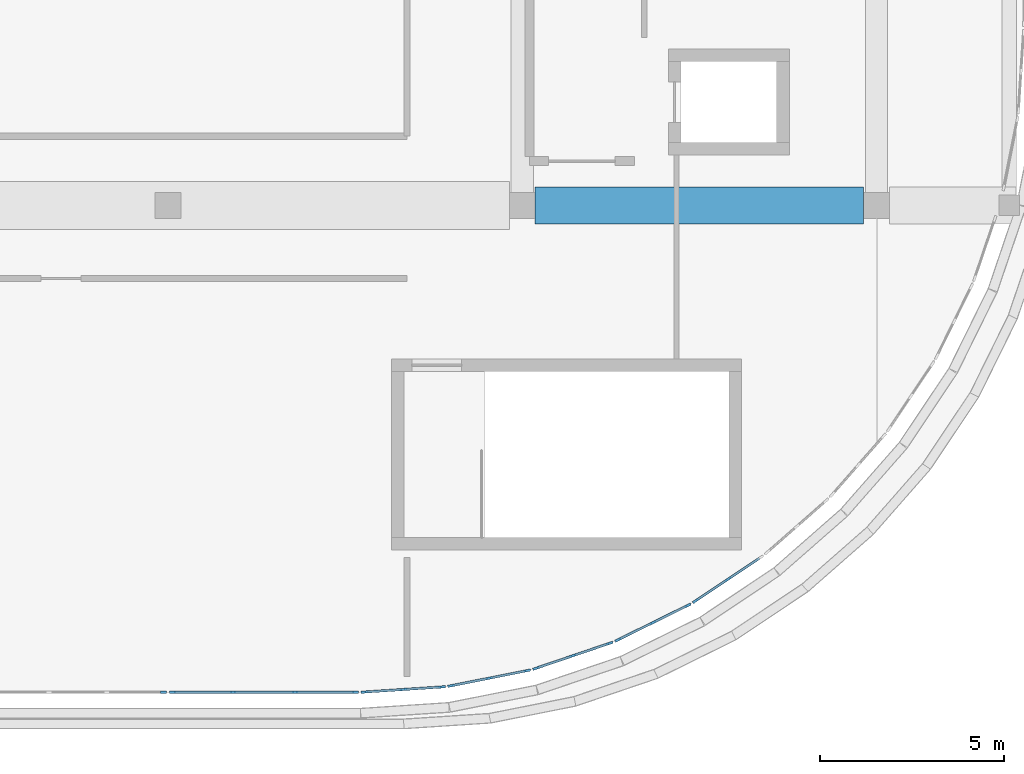
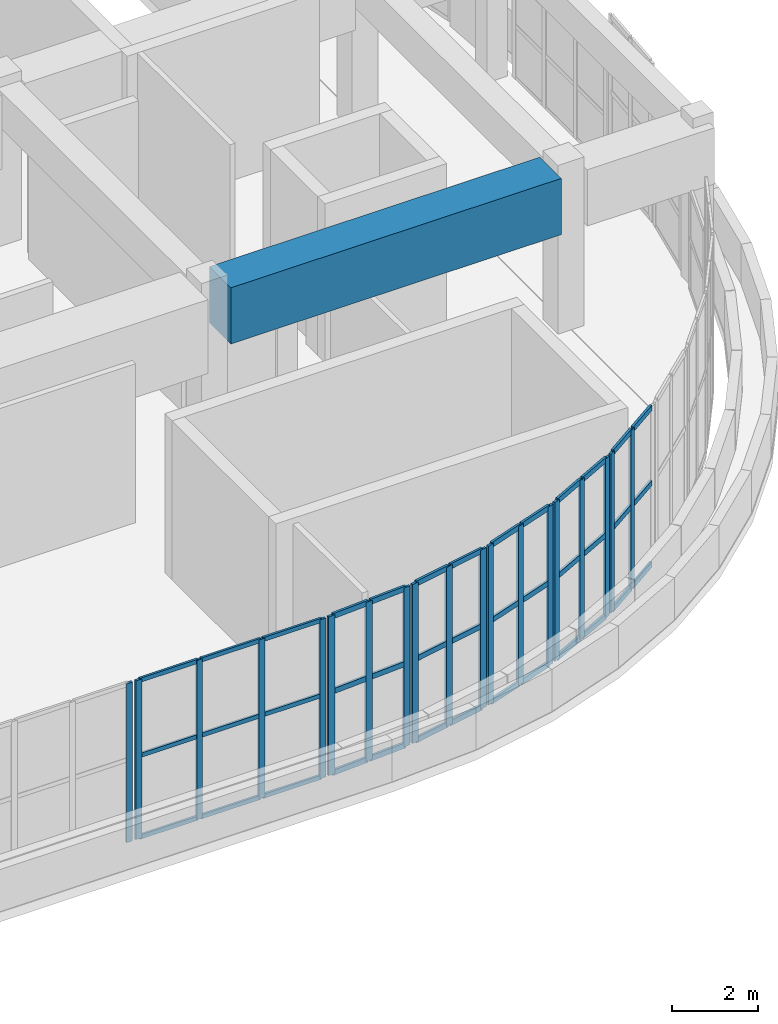
# One storey, part 7 of 23: 58 members, 1 beam, 7 elements without a shape of their own.
"""IFC4 building model written with IfcOpenShell, lengths in metres."""

from ifc_helpers import new_model, si_unit, direction, frame, origin, origin_2d, place, context, subcontext, project, spatial, rectangle, extrude, material, layer, layer_set, material_profile, profile_set, type_object, element, aggregate, save


model = new_model("IFC4")

# Units and contexts
model_context = context("Model", 3, precision=1e-05, world=origin(), true_north=direction((0.0, 1.0)))
body_context = subcontext(model_context, "Body", "Model", "MODEL_VIEW")
ifc_project = project(units=[si_unit("LENGTHUNIT", "METRE"), si_unit("AREAUNIT", "SQUARE_METRE"), si_unit("VOLUMEUNIT", "CUBIC_METRE"), si_unit("PLANEANGLEUNIT", "RADIAN"), si_unit("MASSUNIT", "GRAM", prefix="KILO")], contexts=[model_context])

# Site, building, storey
site_placement = place(None, origin())
site = spatial("IfcSite", under=ifc_project, at=site_placement, CompositionType="ELEMENT")
building_placement = place(site_placement, origin())
building = spatial("IfcBuilding", under=site, at=building_placement, Name="Cendralis Terraced Arcade", CompositionType="ELEMENT")
storey_placement = place(building_placement, frame((0.0, 0.0, 29.39990234375)))
storey = spatial("IfcBuildingStorey", under=building, at=storey_placement, Name="L06", CompositionType="ELEMENT", Elevation=29.39990234375)

# Beam
ifc_material_1 = material(Name="Concrete f'c 42 MPa", Category="concrete")
ifc_material_profile_1 = material_profile(ifc_material_1, rectangle(XDim=1.0, YDim=1.60009765625, at=origin_2d()), Name="RC-TG-1000x1600", Category="LoadBearing")
ifc_profile_set_1 = profile_set([ifc_material_profile_1], Name="Concrete f'c 42 MPa")
beam_type = type_object("IfcBeamType", Name="BM-TG-1000x1600", PredefinedType="USERDEFINED", material=ifc_profile_set_1)
beam_placement = place(storey_placement, frame((48.35009765625, 19.199951171875, 3.72509765625), z_axis=(1.0, 0.0, 0.0), x_axis=(0.0, 1.0, 0.0)))
element("IfcBeam", 1, at=beam_placement, inside=storey, type_object=beam_type, Name="Reinforced Concrete Transfer Girder TG-RF-C-BACK", ObjectType="TRANSFER GIRDER", PredefinedType="USERDEFINED", context=body_context, shape_type="SweptSolid", body=[
    extrude(rectangle(XDim=1.0, YDim=1.60009765625, at=origin_2d()), origin(), (0.0, 0.0, 1.0), 8.89990234375),
])

# Curtain wall, members
ifc_material_2 = material(Name="Anodised aluminium EN AW-6063 T6", Category="aluminium")
ifc_layer_1 = layer(ifc_material_2, 0.179931640625, Name="CW-UNIT-A")
ifc_layer_set_1 = layer_set([ifc_layer_1], Name="Anodised aluminium EN AW-6063 T6")
curtain_wall_type_1 = type_object("IfcCurtainWallType", Name="CW-UNIT-A", PredefinedType="USERDEFINED", material=ifc_layer_set_1)
curtain_wall_1_placement = place(storey_placement, origin())
curtain_wall_1 = element("IfcCurtainWall", 2, at=curtain_wall_1_placement, inside=storey, type_object=curtain_wall_type_1, Name="Exterior Unitised Facade CW-L06-0477", ObjectType="UNITISED FACADE", PredefinedType="USERDEFINED")
ifc_material_profile_2 = material_profile(ifc_material_2, rectangle(XDim=0.06494140625, YDim=0.179931640625, at=origin_2d()), Name="ALU-MUL-65x180")
ifc_profile_set_2 = profile_set([ifc_material_profile_2], Name="Anodised aluminium EN AW-6063 T6")
member_type_1 = type_object("IfcMemberType", Name="CW-UNIT-A-MUL", PredefinedType="MULLION", material=ifc_profile_set_2)
member_1_placement = place(storey_placement, frame((53.578857421875, 9.0654296875, 0.0), z_axis=(0.0, 0.0, 1.0), x_axis=(0.555559488738, -0.831476791301, 0.0)))
member_1 = element("IfcMember", 3, at=member_1_placement, type_object=member_type_1, Name="CW-U1 mullion 2", PredefinedType="MULLION", context=body_context, shape_type="SweptSolid", body=[
    extrude(rectangle(XDim=0.06494140625, YDim=0.179931640625, at=origin_2d()), origin(), (0.0, 0.0, 1.0), 4.525146484375),
])
member_2_placement = place(storey_placement, frame((52.701904296875, 8.4794921875, 0.0), z_axis=(0.0, 0.0, 1.0), x_axis=(0.555559488738, -0.831476791301, 0.0)))
member_2 = element("IfcMember", 4, at=member_2_placement, type_object=member_type_1, Name="CW-U1 mullion 3", PredefinedType="MULLION", context=body_context, shape_type="SweptSolid", body=[
    extrude(rectangle(XDim=0.06494140625, YDim=0.179931640625, at=origin_2d()), origin(), (0.0, 0.0, 1.0), 4.525146484375),
])

curtain_wall_2_placement = place(storey_placement, origin())
curtain_wall_2 = element("IfcCurtainWall", 5, at=curtain_wall_2_placement, inside=storey, type_object=curtain_wall_type_1, Name="Exterior Unitised Facade CW-L06-0478", ObjectType="UNITISED FACADE", PredefinedType="USERDEFINED")
member_3_placement = place(storey_placement, frame((52.490234375, 8.357421875, 0.0), z_axis=(0.0, 0.0, 1.0), x_axis=(0.442258533133, -0.896887612731, 0.0)))
member_3 = element("IfcMember", 6, at=member_3_placement, type_object=member_type_1, Name="CW-U1 mullion 1", PredefinedType="MULLION", context=body_context, shape_type="SweptSolid", body=[
    extrude(rectangle(XDim=0.06494140625, YDim=0.179931640625, at=origin_2d()), origin(), (0.0, 0.0, 1.0), 4.525146484375),
])
member_4_placement = place(storey_placement, frame((51.544189453125, 7.890869140625, 0.0), z_axis=(0.0, 0.0, 1.0), x_axis=(0.442258533133, -0.896887612731, 0.0)))
member_4 = element("IfcMember", 7, at=member_4_placement, type_object=member_type_1, Name="CW-U1 mullion 2", PredefinedType="MULLION", context=body_context, shape_type="SweptSolid", body=[
    extrude(rectangle(XDim=0.06494140625, YDim=0.179931640625, at=origin_2d()), origin(), (0.0, 0.0, 1.0), 4.525146484375),
])
member_5_placement = place(storey_placement, frame((50.59814453125, 7.42431640625, 0.0), z_axis=(0.0, 0.0, 1.0), x_axis=(0.442258533133, -0.896887612731, 0.0)))
member_5 = element("IfcMember", 8, at=member_5_placement, type_object=member_type_1, Name="CW-U1 mullion 3", PredefinedType="MULLION", context=body_context, shape_type="SweptSolid", body=[
    extrude(rectangle(XDim=0.06494140625, YDim=0.179931640625, at=origin_2d()), origin(), (0.0, 0.0, 1.0), 4.525146484375),
])

curtain_wall_3_placement = place(storey_placement, origin())
curtain_wall_3 = element("IfcCurtainWall", 9, at=curtain_wall_3_placement, inside=storey, type_object=curtain_wall_type_1, Name="Exterior Unitised Facade CW-L06-0479", ObjectType="UNITISED FACADE", PredefinedType="USERDEFINED")
member_6_placement = place(storey_placement, frame((50.372314453125, 7.330810546875, 0.0), z_axis=(0.0, 0.0, 1.0), x_axis=(0.321478962554, -0.946916721066, 0.0)))
member_6 = element("IfcMember", 10, at=member_6_placement, type_object=member_type_1, Name="CW-U1 mullion 1", PredefinedType="MULLION", context=body_context, shape_type="SweptSolid", body=[
    extrude(rectangle(XDim=0.06494140625, YDim=0.179931640625, at=origin_2d()), origin(), (0.0, 0.0, 1.0), 4.525146484375),
])
member_7_placement = place(storey_placement, frame((49.37353515625, 6.99169921875, 0.0), z_axis=(0.0, 0.0, 1.0), x_axis=(0.321478962554, -0.946916721066, 0.0)))
member_7 = element("IfcMember", 11, at=member_7_placement, type_object=member_type_1, Name="CW-U1 mullion 2", PredefinedType="MULLION", context=body_context, shape_type="SweptSolid", body=[
    extrude(rectangle(XDim=0.06494140625, YDim=0.179931640625, at=origin_2d()), origin(), (0.0, 0.0, 1.0), 4.525146484375),
])
member_8_placement = place(storey_placement, frame((48.374755859375, 6.652587890625, 0.0), z_axis=(0.0, 0.0, 1.0), x_axis=(0.321478962554, -0.946916721066, 0.0)))
member_8 = element("IfcMember", 12, at=member_8_placement, type_object=member_type_1, Name="CW-U1 mullion 3", PredefinedType="MULLION", context=body_context, shape_type="SweptSolid", body=[
    extrude(rectangle(XDim=0.06494140625, YDim=0.179931640625, at=origin_2d()), origin(), (0.0, 0.0, 1.0), 4.525146484375),
])

curtain_wall_4_placement = place(storey_placement, origin())
curtain_wall_4 = element("IfcCurtainWall", 13, at=curtain_wall_4_placement, inside=storey, type_object=curtain_wall_type_1, Name="Exterior Unitised Facade CW-L06-0480", ObjectType="UNITISED FACADE", PredefinedType="USERDEFINED")
member_9_placement = place(storey_placement, frame((48.138427734375, 6.58935546875, 0.0), z_axis=(0.0, 0.0, 1.0), x_axis=(0.195045853998, -0.980794124594, 0.0)))
member_9 = element("IfcMember", 14, at=member_9_placement, type_object=member_type_1, Name="CW-U1 mullion 1", PredefinedType="MULLION", context=body_context, shape_type="SweptSolid", body=[
    extrude(rectangle(XDim=0.06494140625, YDim=0.179931640625, at=origin_2d()), origin(), (0.0, 0.0, 1.0), 4.525146484375),
])
member_10_placement = place(storey_placement, frame((47.10400390625, 6.383544921875, 0.0), z_axis=(0.0, 0.0, 1.0), x_axis=(0.195045853998, -0.980794124594, 0.0)))
member_10 = element("IfcMember", 15, at=member_10_placement, type_object=member_type_1, Name="CW-U1 mullion 2", PredefinedType="MULLION", context=body_context, shape_type="SweptSolid", body=[
    extrude(rectangle(XDim=0.06494140625, YDim=0.179931640625, at=origin_2d()), origin(), (0.0, 0.0, 1.0), 4.525146484375),
])
member_11_placement = place(storey_placement, frame((46.069580078125, 6.177978515625, 0.0), z_axis=(0.0, 0.0, 1.0), x_axis=(0.195045853998, -0.980794124594, 0.0)))
member_11 = element("IfcMember", 16, at=member_11_placement, type_object=member_type_1, Name="CW-U1 mullion 3", PredefinedType="MULLION", context=body_context, shape_type="SweptSolid", body=[
    extrude(rectangle(XDim=0.06494140625, YDim=0.179931640625, at=origin_2d()), origin(), (0.0, 0.0, 1.0), 4.525146484375),
])

curtain_wall_5_placement = place(storey_placement, origin())
curtain_wall_5 = element("IfcCurtainWall", 17, at=curtain_wall_5_placement, inside=storey, type_object=curtain_wall_type_1, Name="Exterior Unitised Facade CW-L06-0481", ObjectType="UNITISED FACADE", PredefinedType="USERDEFINED")
member_12_placement = place(storey_placement, frame((45.8271484375, 6.14599609375, 0.0), z_axis=(0.0, 0.0, 1.0), x_axis=(0.065392707503, -0.99785960626, 0.0)))
member_12 = element("IfcMember", 18, at=member_12_placement, type_object=member_type_1, Name="CW-U1 mullion 1", PredefinedType="MULLION", context=body_context, shape_type="SweptSolid", body=[
    extrude(rectangle(XDim=0.06494140625, YDim=0.179931640625, at=origin_2d()), origin(), (0.0, 0.0, 1.0), 4.525146484375),
])
member_13_placement = place(storey_placement, frame((44.774658203125, 6.076904296875, 0.0), z_axis=(0.0, 0.0, 1.0), x_axis=(0.065392707503, -0.99785960626, 0.0)))
member_13 = element("IfcMember", 19, at=member_13_placement, type_object=member_type_1, Name="CW-U1 mullion 2", PredefinedType="MULLION", context=body_context, shape_type="SweptSolid", body=[
    extrude(rectangle(XDim=0.06494140625, YDim=0.179931640625, at=origin_2d()), origin(), (0.0, 0.0, 1.0), 4.525146484375),
])
member_14_placement = place(storey_placement, frame((43.72216796875, 6.008056640625, 0.0), z_axis=(0.0, 0.0, 1.0), x_axis=(0.065392707503, -0.99785960626, 0.0)))
member_14 = element("IfcMember", 20, at=member_14_placement, type_object=member_type_1, Name="CW-U1 mullion 3", PredefinedType="MULLION", context=body_context, shape_type="SweptSolid", body=[
    extrude(rectangle(XDim=0.06494140625, YDim=0.179931640625, at=origin_2d()), origin(), (0.0, 0.0, 1.0), 4.525146484375),
])

# Member
ifc_material_profile_3 = material_profile(ifc_material_2, rectangle(XDim=0.06494140625, YDim=0.14990234375, at=origin_2d()), Name="ALU-TRN-65x150")
ifc_profile_set_3 = profile_set([ifc_material_profile_3], Name="Anodised aluminium EN AW-6063 T6")
member_type_2 = type_object("IfcMemberType", Name="CW-UNIT-A-TRN", PredefinedType="USERDEFINED", material=ifc_profile_set_3)
member_15_placement = place(storey_placement, frame((54.428955078125, 9.633544921875, 0.03271484375), z_axis=(-0.831404687849, -0.555667387043, 0.0), x_axis=(0.555667387043, -0.831404687849, 0.0)))
member_15 = element("IfcMember", 21, at=member_15_placement, type_object=member_type_2, Name="CW-U1 transom 1.1", ObjectType="TRANSOM", PredefinedType="USERDEFINED", context=body_context, shape_type="SweptSolid", body=[
    extrude(rectangle(XDim=0.06494140625, YDim=0.14990234375, at=origin_2d()), origin(), (0.0, 0.0, 1.0), 0.989990234375),
])

member_16_placement = place(storey_placement, frame((54.428955078125, 9.633544921875, 2.35302734375), z_axis=(-0.831404687849, -0.555667387043, 0.0), x_axis=(0.555667387043, -0.831404687849, 0.0)))
member_16 = element("IfcMember", 22, at=member_16_placement, type_object=member_type_2, Name="CW-U1 transom 1.2", ObjectType="TRANSOM", PredefinedType="USERDEFINED", context=body_context, shape_type="SweptSolid", body=[
    extrude(rectangle(XDim=0.06494140625, YDim=0.14990234375, at=origin_2d()), origin(), (0.0, 0.0, 1.0), 0.989990234375),
])

member_17_placement = place(storey_placement, frame((54.428955078125, 9.633544921875, 4.49267578125), z_axis=(-0.831404687849, -0.555667387043, 0.0), x_axis=(0.555667387043, -0.831404687849, 0.0)))
member_17 = element("IfcMember", 23, at=member_17_placement, type_object=member_type_2, Name="CW-U1 transom 1.3", ObjectType="TRANSOM", PredefinedType="USERDEFINED", context=body_context, shape_type="SweptSolid", body=[
    extrude(rectangle(XDim=0.06494140625, YDim=0.14990234375, at=origin_2d()), origin(), (0.0, 0.0, 1.0), 0.989990234375),
])

member_18_placement = place(storey_placement, frame((53.5517578125, 9.047607421875, 0.03271484375), z_axis=(-0.831404687849, -0.555667387043, 0.0), x_axis=(0.555667387043, -0.831404687849, 0.0)))
member_18 = element("IfcMember", 24, at=member_18_placement, type_object=member_type_2, Name="CW-U1 transom 2.1", ObjectType="TRANSOM", PredefinedType="USERDEFINED", context=body_context, shape_type="SweptSolid", body=[
    extrude(rectangle(XDim=0.06494140625, YDim=0.14990234375, at=origin_2d()), origin(), (0.0, 0.0, 1.0), 0.989990234375),
])

member_19_placement = place(storey_placement, frame((53.5517578125, 9.047607421875, 2.35302734375), z_axis=(-0.831404687849, -0.555667387043, 0.0), x_axis=(0.555667387043, -0.831404687849, 0.0)))
member_19 = element("IfcMember", 25, at=member_19_placement, type_object=member_type_2, Name="CW-U1 transom 2.2", ObjectType="TRANSOM", PredefinedType="USERDEFINED", context=body_context, shape_type="SweptSolid", body=[
    extrude(rectangle(XDim=0.06494140625, YDim=0.14990234375, at=origin_2d()), origin(), (0.0, 0.0, 1.0), 0.989990234375),
])

member_20_placement = place(storey_placement, frame((53.5517578125, 9.047607421875, 4.49267578125), z_axis=(-0.831404687849, -0.555667387043, 0.0), x_axis=(0.555667387043, -0.831404687849, 0.0)))
member_20 = element("IfcMember", 26, at=member_20_placement, type_object=member_type_2, Name="CW-U1 transom 2.3", ObjectType="TRANSOM", PredefinedType="USERDEFINED", context=body_context, shape_type="SweptSolid", body=[
    extrude(rectangle(XDim=0.06494140625, YDim=0.14990234375, at=origin_2d()), origin(), (0.0, 0.0, 1.0), 0.989990234375),
])

aggregate(curtain_wall_1, [member_1, member_2, member_15, member_16, member_17, member_18, member_19, member_20])

member_21_placement = place(storey_placement, frame((52.4609375, 8.343017578125, 0.03271484375), z_axis=(-0.89688025302, -0.442273458104, 0.0), x_axis=(0.442273458104, -0.89688025302, 0.0)))
member_21 = element("IfcMember", 27, at=member_21_placement, type_object=member_type_2, Name="CW-U1 transom 1.1", ObjectType="TRANSOM", PredefinedType="USERDEFINED", context=body_context, shape_type="SweptSolid", body=[
    extrude(rectangle(XDim=0.06494140625, YDim=0.14990234375, at=origin_2d()), origin(), (0.0, 0.0, 1.0), 0.98974609375),
])

member_22_placement = place(storey_placement, frame((52.4609375, 8.343017578125, 2.35302734375), z_axis=(-0.89688025302, -0.442273458104, 0.0), x_axis=(0.442273458104, -0.89688025302, 0.0)))
member_22 = element("IfcMember", 28, at=member_22_placement, type_object=member_type_2, Name="CW-U1 transom 1.2", ObjectType="TRANSOM", PredefinedType="USERDEFINED", context=body_context, shape_type="SweptSolid", body=[
    extrude(rectangle(XDim=0.06494140625, YDim=0.14990234375, at=origin_2d()), origin(), (0.0, 0.0, 1.0), 0.98974609375),
])

member_23_placement = place(storey_placement, frame((52.4609375, 8.343017578125, 4.49267578125), z_axis=(-0.89688025302, -0.442273458104, 0.0), x_axis=(0.442273458104, -0.89688025302, 0.0)))
member_23 = element("IfcMember", 29, at=member_23_placement, type_object=member_type_2, Name="CW-U1 transom 1.3", ObjectType="TRANSOM", PredefinedType="USERDEFINED", context=body_context, shape_type="SweptSolid", body=[
    extrude(rectangle(XDim=0.06494140625, YDim=0.14990234375, at=origin_2d()), origin(), (0.0, 0.0, 1.0), 0.98974609375),
])

member_24_placement = place(storey_placement, frame((51.514892578125, 7.87646484375, 0.03271484375), z_axis=(-0.89688025302, -0.442273458104, 0.0), x_axis=(0.442273458104, -0.89688025302, 0.0)))
member_24 = element("IfcMember", 30, at=member_24_placement, type_object=member_type_2, Name="CW-U1 transom 2.1", ObjectType="TRANSOM", PredefinedType="USERDEFINED", context=body_context, shape_type="SweptSolid", body=[
    extrude(rectangle(XDim=0.06494140625, YDim=0.14990234375, at=origin_2d()), origin(), (0.0, 0.0, 1.0), 0.98974609375),
])

member_25_placement = place(storey_placement, frame((51.514892578125, 7.87646484375, 2.35302734375), z_axis=(-0.89688025302, -0.442273458104, 0.0), x_axis=(0.442273458104, -0.89688025302, 0.0)))
member_25 = element("IfcMember", 31, at=member_25_placement, type_object=member_type_2, Name="CW-U1 transom 2.2", ObjectType="TRANSOM", PredefinedType="USERDEFINED", context=body_context, shape_type="SweptSolid", body=[
    extrude(rectangle(XDim=0.06494140625, YDim=0.14990234375, at=origin_2d()), origin(), (0.0, 0.0, 1.0), 0.98974609375),
])

member_26_placement = place(storey_placement, frame((51.514892578125, 7.87646484375, 4.49267578125), z_axis=(-0.89688025302, -0.442273458104, 0.0), x_axis=(0.442273458104, -0.89688025302, 0.0)))
member_26 = element("IfcMember", 32, at=member_26_placement, type_object=member_type_2, Name="CW-U1 transom 2.3", ObjectType="TRANSOM", PredefinedType="USERDEFINED", context=body_context, shape_type="SweptSolid", body=[
    extrude(rectangle(XDim=0.06494140625, YDim=0.14990234375, at=origin_2d()), origin(), (0.0, 0.0, 1.0), 0.98974609375),
])

aggregate(curtain_wall_2, [member_3, member_4, member_5, member_21, member_22, member_23, member_24, member_25, member_26])

member_27_placement = place(storey_placement, frame((50.341552734375, 7.3203125, 0.03271484375), z_axis=(-0.946942509421, -0.321402992909, 0.0), x_axis=(0.321402992909, -0.946942509421, 0.0)))
member_27 = element("IfcMember", 33, at=member_27_placement, type_object=member_type_2, Name="CW-U1 transom 1.1", ObjectType="TRANSOM", PredefinedType="USERDEFINED", context=body_context, shape_type="SweptSolid", body=[
    extrude(rectangle(XDim=0.06494140625, YDim=0.14990234375, at=origin_2d()), origin(), (0.0, 0.0, 1.0), 0.98974609375),
])

member_28_placement = place(storey_placement, frame((50.341552734375, 7.3203125, 2.35302734375), z_axis=(-0.946942509421, -0.321402992909, 0.0), x_axis=(0.321402992909, -0.946942509421, 0.0)))
member_28 = element("IfcMember", 34, at=member_28_placement, type_object=member_type_2, Name="CW-U1 transom 1.2", ObjectType="TRANSOM", PredefinedType="USERDEFINED", context=body_context, shape_type="SweptSolid", body=[
    extrude(rectangle(XDim=0.06494140625, YDim=0.14990234375, at=origin_2d()), origin(), (0.0, 0.0, 1.0), 0.98974609375),
])

member_29_placement = place(storey_placement, frame((50.341552734375, 7.3203125, 4.49267578125), z_axis=(-0.946942509421, -0.321402992909, 0.0), x_axis=(0.321402992909, -0.946942509421, 0.0)))
member_29 = element("IfcMember", 35, at=member_29_placement, type_object=member_type_2, Name="CW-U1 transom 1.3", ObjectType="TRANSOM", PredefinedType="USERDEFINED", context=body_context, shape_type="SweptSolid", body=[
    extrude(rectangle(XDim=0.06494140625, YDim=0.14990234375, at=origin_2d()), origin(), (0.0, 0.0, 1.0), 0.98974609375),
])

member_30_placement = place(storey_placement, frame((49.3427734375, 6.981201171875, 0.03271484375), z_axis=(-0.946942509421, -0.321402992909, 0.0), x_axis=(0.321402992909, -0.946942509421, 0.0)))
member_30 = element("IfcMember", 36, at=member_30_placement, type_object=member_type_2, Name="CW-U1 transom 2.1", ObjectType="TRANSOM", PredefinedType="USERDEFINED", context=body_context, shape_type="SweptSolid", body=[
    extrude(rectangle(XDim=0.06494140625, YDim=0.14990234375, at=origin_2d()), origin(), (0.0, 0.0, 1.0), 0.98974609375),
])

member_31_placement = place(storey_placement, frame((49.3427734375, 6.981201171875, 2.35302734375), z_axis=(-0.946942509421, -0.321402992909, 0.0), x_axis=(0.321402992909, -0.946942509421, 0.0)))
member_31 = element("IfcMember", 37, at=member_31_placement, type_object=member_type_2, Name="CW-U1 transom 2.2", ObjectType="TRANSOM", PredefinedType="USERDEFINED", context=body_context, shape_type="SweptSolid", body=[
    extrude(rectangle(XDim=0.06494140625, YDim=0.14990234375, at=origin_2d()), origin(), (0.0, 0.0, 1.0), 0.98974609375),
])

member_32_placement = place(storey_placement, frame((49.3427734375, 6.981201171875, 4.49267578125), z_axis=(-0.946942509421, -0.321402992909, 0.0), x_axis=(0.321402992909, -0.946942509421, 0.0)))
member_32 = element("IfcMember", 38, at=member_32_placement, type_object=member_type_2, Name="CW-U1 transom 2.3", ObjectType="TRANSOM", PredefinedType="USERDEFINED", context=body_context, shape_type="SweptSolid", body=[
    extrude(rectangle(XDim=0.06494140625, YDim=0.14990234375, at=origin_2d()), origin(), (0.0, 0.0, 1.0), 0.98974609375),
])

aggregate(curtain_wall_3, [member_6, member_7, member_8, member_27, member_28, member_29, member_30, member_31, member_32])

member_33_placement = place(storey_placement, frame((48.106689453125, 6.5830078125, 0.03271484375), z_axis=(-0.98077940709, -0.195119846833, 0.0), x_axis=(0.195119846833, -0.98077940709, 0.0)))
member_33 = element("IfcMember", 39, at=member_33_placement, type_object=member_type_2, Name="CW-U1 transom 1.1", ObjectType="TRANSOM", PredefinedType="USERDEFINED", context=body_context, shape_type="SweptSolid", body=[
    extrude(rectangle(XDim=0.06494140625, YDim=0.14990234375, at=origin_2d()), origin(), (0.0, 0.0, 1.0), 0.98974609375),
])

member_34_placement = place(storey_placement, frame((48.106689453125, 6.5830078125, 2.35302734375), z_axis=(-0.98077940709, -0.195119846833, 0.0), x_axis=(0.195119846833, -0.98077940709, 0.0)))
member_34 = element("IfcMember", 40, at=member_34_placement, type_object=member_type_2, Name="CW-U1 transom 1.2", ObjectType="TRANSOM", PredefinedType="USERDEFINED", context=body_context, shape_type="SweptSolid", body=[
    extrude(rectangle(XDim=0.06494140625, YDim=0.14990234375, at=origin_2d()), origin(), (0.0, 0.0, 1.0), 0.98974609375),
])

member_35_placement = place(storey_placement, frame((48.106689453125, 6.5830078125, 4.49267578125), z_axis=(-0.98077940709, -0.195119846833, 0.0), x_axis=(0.195119846833, -0.98077940709, 0.0)))
member_35 = element("IfcMember", 41, at=member_35_placement, type_object=member_type_2, Name="CW-U1 transom 1.3", ObjectType="TRANSOM", PredefinedType="USERDEFINED", context=body_context, shape_type="SweptSolid", body=[
    extrude(rectangle(XDim=0.06494140625, YDim=0.14990234375, at=origin_2d()), origin(), (0.0, 0.0, 1.0), 0.98974609375),
])

member_36_placement = place(storey_placement, frame((47.072265625, 6.377197265625, 0.03271484375), z_axis=(-0.980826586714, -0.194882546153, 0.0), x_axis=(0.194882546153, -0.980826586714, 0.0)))
member_36 = element("IfcMember", 42, at=member_36_placement, type_object=member_type_2, Name="CW-U1 transom 2.1", ObjectType="TRANSOM", PredefinedType="USERDEFINED", context=body_context, shape_type="SweptSolid", body=[
    extrude(rectangle(XDim=0.06494140625, YDim=0.14990234375, at=origin_2d()), origin(), (0.0, 0.0, 1.0), 0.98974609375),
])

member_37_placement = place(storey_placement, frame((47.072265625, 6.377197265625, 2.35302734375), z_axis=(-0.980826586714, -0.194882546153, 0.0), x_axis=(0.194882546153, -0.980826586714, 0.0)))
member_37 = element("IfcMember", 43, at=member_37_placement, type_object=member_type_2, Name="CW-U1 transom 2.2", ObjectType="TRANSOM", PredefinedType="USERDEFINED", context=body_context, shape_type="SweptSolid", body=[
    extrude(rectangle(XDim=0.06494140625, YDim=0.14990234375, at=origin_2d()), origin(), (0.0, 0.0, 1.0), 0.98974609375),
])

member_38_placement = place(storey_placement, frame((47.072265625, 6.377197265625, 4.49267578125), z_axis=(-0.980826586714, -0.194882546153, 0.0), x_axis=(0.194882546153, -0.980826586714, 0.0)))
member_38 = element("IfcMember", 44, at=member_38_placement, type_object=member_type_2, Name="CW-U1 transom 2.3", ObjectType="TRANSOM", PredefinedType="USERDEFINED", context=body_context, shape_type="SweptSolid", body=[
    extrude(rectangle(XDim=0.06494140625, YDim=0.14990234375, at=origin_2d()), origin(), (0.0, 0.0, 1.0), 0.98974609375),
])

aggregate(curtain_wall_4, [member_9, member_10, member_11, member_33, member_34, member_35, member_36, member_37, member_38])

member_39_placement = place(storey_placement, frame((45.794921875, 6.143798828125, 0.03271484375), z_axis=(-0.997861961859, -0.065356752321, 0.0), x_axis=(0.065356752321, -0.997861961859, 0.0)))
member_39 = element("IfcMember", 45, at=member_39_placement, type_object=member_type_2, Name="CW-U1 transom 1.1", ObjectType="TRANSOM", PredefinedType="USERDEFINED", context=body_context, shape_type="SweptSolid", body=[
    extrude(rectangle(XDim=0.06494140625, YDim=0.14990234375, at=origin_2d()), origin(), (0.0, 0.0, 1.0), 0.989990234375),
])

member_40_placement = place(storey_placement, frame((45.794921875, 6.143798828125, 2.35302734375), z_axis=(-0.997861961859, -0.065356752321, 0.0), x_axis=(0.065356752321, -0.997861961859, 0.0)))
member_40 = element("IfcMember", 46, at=member_40_placement, type_object=member_type_2, Name="CW-U1 transom 1.2", ObjectType="TRANSOM", PredefinedType="USERDEFINED", context=body_context, shape_type="SweptSolid", body=[
    extrude(rectangle(XDim=0.06494140625, YDim=0.14990234375, at=origin_2d()), origin(), (0.0, 0.0, 1.0), 0.989990234375),
])

member_41_placement = place(storey_placement, frame((45.794921875, 6.143798828125, 4.49267578125), z_axis=(-0.997861961859, -0.065356752321, 0.0), x_axis=(0.065356752321, -0.997861961859, 0.0)))
member_41 = element("IfcMember", 47, at=member_41_placement, type_object=member_type_2, Name="CW-U1 transom 1.3", ObjectType="TRANSOM", PredefinedType="USERDEFINED", context=body_context, shape_type="SweptSolid", body=[
    extrude(rectangle(XDim=0.06494140625, YDim=0.14990234375, at=origin_2d()), origin(), (0.0, 0.0, 1.0), 0.989990234375),
])

member_42_placement = place(storey_placement, frame((44.742431640625, 6.074951171875, 0.03271484375), z_axis=(-0.997861961859, -0.065356752321, 0.0), x_axis=(0.065356752321, -0.997861961859, 0.0)))
member_42 = element("IfcMember", 48, at=member_42_placement, type_object=member_type_2, Name="CW-U1 transom 2.1", ObjectType="TRANSOM", PredefinedType="USERDEFINED", context=body_context, shape_type="SweptSolid", body=[
    extrude(rectangle(XDim=0.06494140625, YDim=0.14990234375, at=origin_2d()), origin(), (0.0, 0.0, 1.0), 0.989990234375),
])

member_43_placement = place(storey_placement, frame((44.742431640625, 6.074951171875, 2.35302734375), z_axis=(-0.997861961859, -0.065356752321, 0.0), x_axis=(0.065356752321, -0.997861961859, 0.0)))
member_43 = element("IfcMember", 49, at=member_43_placement, type_object=member_type_2, Name="CW-U1 transom 2.2", ObjectType="TRANSOM", PredefinedType="USERDEFINED", context=body_context, shape_type="SweptSolid", body=[
    extrude(rectangle(XDim=0.06494140625, YDim=0.14990234375, at=origin_2d()), origin(), (0.0, 0.0, 1.0), 0.989990234375),
])

member_44_placement = place(storey_placement, frame((44.742431640625, 6.074951171875, 4.49267578125), z_axis=(-0.997861961859, -0.065356752321, 0.0), x_axis=(0.065356752321, -0.997861961859, 0.0)))
member_44 = element("IfcMember", 50, at=member_44_placement, type_object=member_type_2, Name="CW-U1 transom 2.3", ObjectType="TRANSOM", PredefinedType="USERDEFINED", context=body_context, shape_type="SweptSolid", body=[
    extrude(rectangle(XDim=0.06494140625, YDim=0.14990234375, at=origin_2d()), origin(), (0.0, 0.0, 1.0), 0.989990234375),
])

aggregate(curtain_wall_5, [member_12, member_13, member_14, member_39, member_40, member_41, member_42, member_43, member_44])

# Curtain wall, members
ifc_layer_2 = layer(ifc_material_2, 0.159912109375, Name="CW-UNIT-B")
ifc_layer_set_2 = layer_set([ifc_layer_2], Name="Anodised aluminium EN AW-6063 T6")
curtain_wall_type_2 = type_object("IfcCurtainWallType", Name="CW-UNIT-B", PredefinedType="USERDEFINED", material=ifc_layer_set_2)
curtain_wall_6_placement = place(storey_placement, origin())
curtain_wall_6 = element("IfcCurtainWall", 51, at=curtain_wall_6_placement, inside=storey, type_object=curtain_wall_type_2, Name="Exterior Unitised Facade CW-L06-0482", ObjectType="UNITISED FACADE", PredefinedType="USERDEFINED")
ifc_material_profile_4 = material_profile(ifc_material_2, rectangle(XDim=0.06494140625, YDim=0.159912109375, at=origin_2d()), Name="ALU-MUL-65x160")
ifc_profile_set_4 = profile_set([ifc_material_profile_4], Name="Anodised aluminium EN AW-6063 T6")
member_type_3 = type_object("IfcMemberType", Name="CW-UNIT-B-MUL", PredefinedType="MULLION", material=ifc_profile_set_4)
member_45_placement = place(storey_placement, frame((43.4775390625, 6.0, 0.0), z_axis=(0.0, 0.0, 1.0), x_axis=(0.0, -1.0, 0.0)))
member_45 = element("IfcMember", 52, at=member_45_placement, type_object=member_type_3, Name="CW-U2 mullion 1", PredefinedType="MULLION", context=body_context, shape_type="SweptSolid", body=[
    extrude(rectangle(XDim=0.06494140625, YDim=0.159912109375, at=origin_2d()), origin(), (0.0, 0.0, 1.0), 4.525146484375),
])
member_46_placement = place(storey_placement, frame((41.836669921875, 6.0, 0.0), z_axis=(0.0, 0.0, 1.0), x_axis=(0.0, -1.0, 0.0)))
member_46 = element("IfcMember", 53, at=member_46_placement, type_object=member_type_3, Name="CW-U2 mullion 2", PredefinedType="MULLION", context=body_context, shape_type="SweptSolid", body=[
    extrude(rectangle(XDim=0.06494140625, YDim=0.159912109375, at=origin_2d()), origin(), (0.0, 0.0, 1.0), 4.525146484375),
])
member_47_placement = place(storey_placement, frame((40.163330078125, 6.0, 0.0), z_axis=(0.0, 0.0, 1.0), x_axis=(0.0, -1.0, 0.0)))
member_47 = element("IfcMember", 54, at=member_47_placement, type_object=member_type_3, Name="CW-U2 mullion 3", PredefinedType="MULLION", context=body_context, shape_type="SweptSolid", body=[
    extrude(rectangle(XDim=0.06494140625, YDim=0.159912109375, at=origin_2d()), origin(), (0.0, 0.0, 1.0), 4.525146484375),
])
member_48_placement = place(storey_placement, frame((38.5224609375, 6.0, 0.0), z_axis=(0.0, 0.0, 1.0), x_axis=(0.0, -1.0, 0.0)))
member_48 = element("IfcMember", 55, at=member_48_placement, type_object=member_type_3, Name="CW-U2 mullion 4", PredefinedType="MULLION", context=body_context, shape_type="SweptSolid", body=[
    extrude(rectangle(XDim=0.06494140625, YDim=0.159912109375, at=origin_2d()), origin(), (0.0, 0.0, 1.0), 4.525146484375),
])

# Curtain wall, member
curtain_wall_7_placement = place(storey_placement, origin())
curtain_wall_7 = element("IfcCurtainWall", 56, at=curtain_wall_7_placement, inside=storey, type_object=curtain_wall_type_2, Name="Exterior Unitised Facade CW-L06-0483", ObjectType="UNITISED FACADE", PredefinedType="USERDEFINED")
member_49_placement = place(storey_placement, frame((38.277587890625, 6.0, 0.0), z_axis=(0.0, 0.0, 1.0), x_axis=(0.0, -1.0, 0.0)))
member_49 = element("IfcMember", 57, at=member_49_placement, type_object=member_type_3, Name="CW-U2 mullion 1", PredefinedType="MULLION", context=body_context, shape_type="SweptSolid", body=[
    extrude(rectangle(XDim=0.06494140625, YDim=0.159912109375, at=origin_2d()), origin(), (0.0, 0.0, 1.0), 4.525146484375),
])
aggregate(curtain_wall_7, [member_49])

# Member
ifc_material_profile_5 = material_profile(ifc_material_2, rectangle(XDim=0.06005859375, YDim=0.1201171875, at=origin_2d()), Name="ALU-TRN-60x120")
ifc_profile_set_5 = profile_set([ifc_material_profile_5], Name="Anodised aluminium EN AW-6063 T6")
member_type_4 = type_object("IfcMemberType", Name="CW-UNIT-B-TRN", PredefinedType="USERDEFINED", material=ifc_profile_set_5)
member_50_placement = place(storey_placement, frame((43.445068359375, 6.0, 0.030029296875), z_axis=(-1.0, 0.0, 0.0), x_axis=(0.0, -1.0, 0.0)))
member_50 = element("IfcMember", 58, at=member_50_placement, type_object=member_type_4, Name="CW-U2 transom 1.1", ObjectType="TRANSOM", PredefinedType="USERDEFINED", context=body_context, shape_type="SweptSolid", body=[
    extrude(rectangle(XDim=0.06005859375, YDim=0.1201171875, at=origin_2d()), origin(), (0.0, 0.0, 1.0), 1.575927734375),
])

member_51_placement = place(storey_placement, frame((43.445068359375, 6.0, 2.35302734375), z_axis=(-1.0, 0.0, 0.0), x_axis=(0.0, -1.0, 0.0)))
member_51 = element("IfcMember", 59, at=member_51_placement, type_object=member_type_4, Name="CW-U2 transom 1.2", ObjectType="TRANSOM", PredefinedType="USERDEFINED", context=body_context, shape_type="SweptSolid", body=[
    extrude(rectangle(XDim=0.06005859375, YDim=0.1201171875, at=origin_2d()), origin(), (0.0, 0.0, 1.0), 1.575927734375),
])

member_52_placement = place(storey_placement, frame((43.445068359375, 6.0, 4.4951171875), z_axis=(-1.0, 0.0, 0.0), x_axis=(0.0, -1.0, 0.0)))
member_52 = element("IfcMember", 60, at=member_52_placement, type_object=member_type_4, Name="CW-U2 transom 1.3", ObjectType="TRANSOM", PredefinedType="USERDEFINED", context=body_context, shape_type="SweptSolid", body=[
    extrude(rectangle(XDim=0.06005859375, YDim=0.1201171875, at=origin_2d()), origin(), (0.0, 0.0, 1.0), 1.575927734375),
])

member_53_placement = place(storey_placement, frame((41.80419921875, 6.0, 0.030029296875), z_axis=(-1.0, 0.0, 0.0), x_axis=(0.0, -1.0, 0.0)))
member_53 = element("IfcMember", 61, at=member_53_placement, type_object=member_type_4, Name="CW-U2 transom 2.1", ObjectType="TRANSOM", PredefinedType="USERDEFINED", context=body_context, shape_type="SweptSolid", body=[
    extrude(rectangle(XDim=0.06005859375, YDim=0.1201171875, at=origin_2d()), origin(), (0.0, 0.0, 1.0), 1.6083984375),
])

member_54_placement = place(storey_placement, frame((41.80419921875, 6.0, 2.35302734375), z_axis=(-1.0, 0.0, 0.0), x_axis=(0.0, -1.0, 0.0)))
member_54 = element("IfcMember", 62, at=member_54_placement, type_object=member_type_4, Name="CW-U2 transom 2.2", ObjectType="TRANSOM", PredefinedType="USERDEFINED", context=body_context, shape_type="SweptSolid", body=[
    extrude(rectangle(XDim=0.06005859375, YDim=0.1201171875, at=origin_2d()), origin(), (0.0, 0.0, 1.0), 1.6083984375),
])

member_55_placement = place(storey_placement, frame((41.80419921875, 6.0, 4.4951171875), z_axis=(-1.0, 0.0, 0.0), x_axis=(0.0, -1.0, 0.0)))
member_55 = element("IfcMember", 63, at=member_55_placement, type_object=member_type_4, Name="CW-U2 transom 2.3", ObjectType="TRANSOM", PredefinedType="USERDEFINED", context=body_context, shape_type="SweptSolid", body=[
    extrude(rectangle(XDim=0.06005859375, YDim=0.1201171875, at=origin_2d()), origin(), (0.0, 0.0, 1.0), 1.6083984375),
])

member_56_placement = place(storey_placement, frame((40.130859375, 6.0, 0.030029296875), z_axis=(-1.0, 0.0, 0.0), x_axis=(0.0, -1.0, 0.0)))
member_56 = element("IfcMember", 64, at=member_56_placement, type_object=member_type_4, Name="CW-U2 transom 3.1", ObjectType="TRANSOM", PredefinedType="USERDEFINED", context=body_context, shape_type="SweptSolid", body=[
    extrude(rectangle(XDim=0.06005859375, YDim=0.1201171875, at=origin_2d()), origin(), (0.0, 0.0, 1.0), 1.575927734375),
])

member_57_placement = place(storey_placement, frame((40.130859375, 6.0, 2.35302734375), z_axis=(-1.0, 0.0, 0.0), x_axis=(0.0, -1.0, 0.0)))
member_57 = element("IfcMember", 65, at=member_57_placement, type_object=member_type_4, Name="CW-U2 transom 3.2", ObjectType="TRANSOM", PredefinedType="USERDEFINED", context=body_context, shape_type="SweptSolid", body=[
    extrude(rectangle(XDim=0.06005859375, YDim=0.1201171875, at=origin_2d()), origin(), (0.0, 0.0, 1.0), 1.575927734375),
])

member_58_placement = place(storey_placement, frame((40.130859375, 6.0, 4.4951171875), z_axis=(-1.0, 0.0, 0.0), x_axis=(0.0, -1.0, 0.0)))
member_58 = element("IfcMember", 66, at=member_58_placement, type_object=member_type_4, Name="CW-U2 transom 3.3", ObjectType="TRANSOM", PredefinedType="USERDEFINED", context=body_context, shape_type="SweptSolid", body=[
    extrude(rectangle(XDim=0.06005859375, YDim=0.1201171875, at=origin_2d()), origin(), (0.0, 0.0, 1.0), 1.575927734375),
])

aggregate(curtain_wall_6, [member_45, member_46, member_47, member_48, member_50, member_51, member_52, member_53, member_54, member_55, member_56, member_57, member_58])

save(model, "model.ifc")
